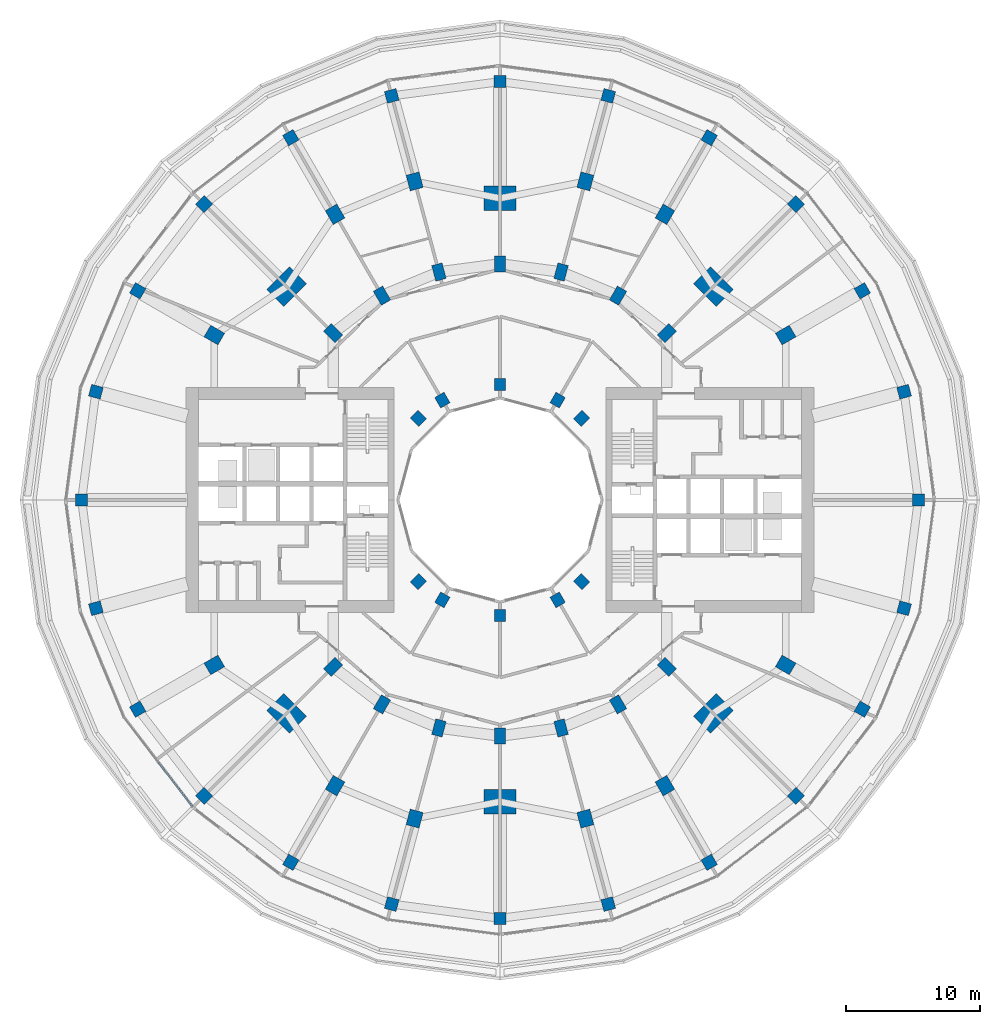
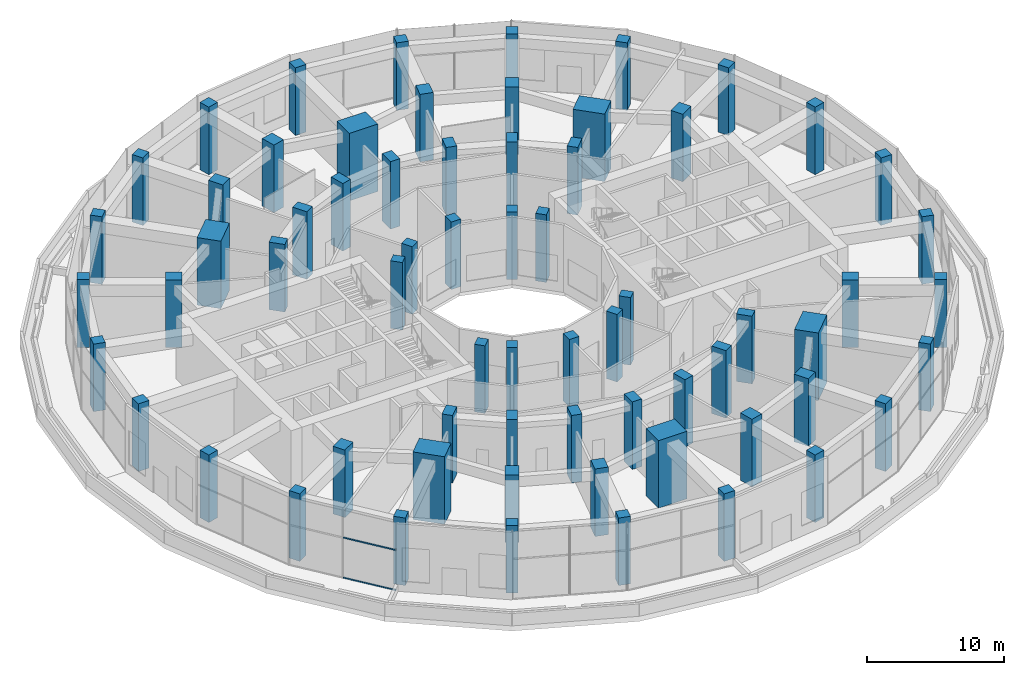
# One storey, part 1 of 23: 66 columns, 2 members, 1 element without a shape of its own.
"""IFC4 building model written with IfcOpenShell, lengths in metres."""

from ifc_helpers import new_model, si_unit, direction, frame, origin, origin_2d, place, context, subcontext, project, spatial, rectangle, extrude, material, layer, layer_set, material_profile, profile_set, type_object, element, aggregate, save


model = new_model("IFC4")

# Units and contexts
model_context = context("Model", 3, precision=1e-05, world=origin(), true_north=direction((0.0, 1.0)))
body_context = subcontext(model_context, "Body", "Model", "MODEL_VIEW")
ifc_project = project(units=[si_unit("LENGTHUNIT", "METRE"), si_unit("AREAUNIT", "SQUARE_METRE"), si_unit("VOLUMEUNIT", "CUBIC_METRE"), si_unit("PLANEANGLEUNIT", "RADIAN"), si_unit("MASSUNIT", "GRAM", prefix="KILO")], contexts=[model_context])

# Site, building, storey
site_placement = place(None, origin())
site = spatial("IfcSite", under=ifc_project, at=site_placement, CompositionType="ELEMENT")
building_placement = place(site_placement, origin())
building = spatial("IfcBuilding", under=site, at=building_placement, Name="Torre Brocal", CompositionType="ELEMENT")
storey_placement = place(building_placement, frame((0.0, 0.0, 17.800048828125)))
storey = spatial("IfcBuildingStorey", under=building, at=storey_placement, Name="L03", CompositionType="ELEMENT", Elevation=17.800048828125)

# Columns
ifc_material_1 = material(Name="Concrete C80", Category="concrete")
ifc_material_profile_1 = material_profile(ifc_material_1, rectangle(XDim=1.199951171875, YDim=1.0, at=origin_2d()), Name="RC 1200X1000")
ifc_profile_set_1 = profile_set([ifc_material_profile_1], Name="Concrete C80")
column_type_1 = type_object("IfcColumnType", Name="RC COLUMN 1200X1000 C80", PredefinedType="COLUMN", material=ifc_profile_set_1)
for number, where, z_axis, x_axis, name in (
    (1, (101.30419921875, 87.300048828125, 0.0), (0.0, 0.0, 1.0), (0.866025403784, 0.5, 0.0), "Column C-O02"),
    (2, (92.300048828125, 96.30419921875, 0.0), (0.0, 0.0, 1.0), (0.5, 0.866025403784, 0.0), "Column C-O04"),
    (3, (86.366943359375, 98.76171875, 0.0), (0.0, 0.0, 1.0), (0.258819045103, 0.965925826289, 0.0), "Column C-O05"),
    (4, (73.633056640625, 98.76171875, 0.0), (0.0, 0.0, 1.0), (-0.258819045103, 0.965925826289, 0.0), "Column C-O07"),
    (5, (67.699951171875, 96.30419921875, 0.0), (0.0, 0.0, 1.0), (-0.5, 0.866025403784, 0.0), "Column C-O08"),
    (6, (58.69580078125, 87.300048828125, 0.0), (0.0, 0.0, 1.0), (-0.866025403784, 0.5, 0.0), "Column C-O10"),
    (7, (58.69580078125, 62.699951171875, 0.0), (0.0, 0.0, 1.0), (-0.866025403784, -0.5, 0.0), "Column C-O14"),
    (8, (67.699951171875, 53.69580078125, 0.0), (0.0, 0.0, 1.0), (-0.5, -0.866025403784, 0.0), "Column C-O16"),
    (9, (73.633056640625, 51.23828125, 0.0), (0.0, 0.0, 1.0), (-0.258819045103, -0.965925826289, 0.0), "Column C-O17"),
    (10, (86.366943359375, 51.23828125, 0.0), (0.0, 0.0, 1.0), (0.258819045103, -0.965925826289, 0.0), "Column C-O19"),
    (11, (92.300048828125, 53.69580078125, 0.0), (0.0, 0.0, 1.0), (0.5, -0.866025403784, 0.0), "Column C-O20"),
    (12, (101.30419921875, 62.699951171875, 0.0), (0.0, 0.0, 1.0), (0.866025403784, -0.5, 0.0), "Column C-O22"),
):
    element("IfcColumn", number, at=place(storey_placement, frame(where, z_axis=z_axis, x_axis=x_axis)), inside=storey, type_object=column_type_1, Name=name, PredefinedType="COLUMN", context=body_context, shape_type="SweptSolid", body=[
        extrude(rectangle(XDim=1.199951171875, YDim=1.0, at=origin_2d()), origin(), (0.0, 0.0, 1.0), 6.0),
    ])
ifc_material_2 = material(Name="Concrete C80", Category="concrete")
ifc_material_profile_2 = material_profile(ifc_material_2, rectangle(XDim=1.199951171875, YDim=0.800048828125, at=origin_2d()), Name="RC 1200X800")
ifc_profile_set_2 = profile_set([ifc_material_profile_2], Name="Concrete C80")
column_type_2 = type_object("IfcColumnType", Name="RC COLUMN 1200X800 C80", PredefinedType="COLUMN", material=ifc_profile_set_2)
for number, where, z_axis, x_axis, name in (
    (13, (92.445068359375, 87.445068359375, 0.0), (0.0, 0.0, 1.0), (0.707106781187, 0.707106781187, 0.0), "Column C-M03"),
    (14, (88.800048828125, 90.241943359375, 0.0), (0.0, 0.0, 1.0), (0.5, 0.866025403784, 0.0), "Column C-M04"),
    (15, (84.55517578125, 92.000244140625, 0.0), (0.0, 0.0, 1.0), (0.258819045103, 0.965925826289, 0.0), "Column C-M05"),
    (16, (80.0, 92.60009765625, 0.0), (0.0, 0.0, 1.0), (0.0, 1.0, 0.0), "Column C-M06"),
    (17, (75.44482421875, 92.000244140625, 0.0), (0.0, 0.0, 1.0), (-0.258819045103, 0.965925826289, 0.0), "Column C-M07"),
    (18, (71.199951171875, 90.241943359375, 0.0), (0.0, 0.0, 1.0), (-0.5, 0.866025403784, 0.0), "Column C-M08"),
    (19, (67.554931640625, 87.445068359375, 0.0), (0.0, 0.0, 1.0), (-0.707106781187, 0.707106781187, 0.0), "Column C-M09"),
    (20, (67.554931640625, 62.554931640625, 0.0), (0.0, 0.0, 1.0), (-0.707106781187, -0.707106781187, 0.0), "Column C-M15"),
    (21, (71.199951171875, 59.758056640625, 0.0), (0.0, 0.0, 1.0), (-0.5, -0.866025403784, 0.0), "Column C-M16"),
    (22, (75.44482421875, 57.999755859375, 0.0), (0.0, 0.0, 1.0), (-0.258819045103, -0.965925826289, 0.0), "Column C-M17"),
    (23, (80.0, 57.39990234375, 0.0), (0.0, 0.0, 1.0), (0.0, -1.0, 0.0), "Column C-M18"),
    (24, (84.55517578125, 57.999755859375, 0.0), (0.0, 0.0, 1.0), (0.258819045103, -0.965925826289, 0.0), "Column C-M19"),
    (25, (88.800048828125, 59.758056640625, 0.0), (0.0, 0.0, 1.0), (0.5, -0.866025403784, 0.0), "Column C-M20"),
    (26, (92.445068359375, 62.554931640625, 0.0), (0.0, 0.0, 1.0), (0.707106781187, -0.707106781187, 0.0), "Column C-M21"),
):
    element("IfcColumn", number, at=place(storey_placement, frame(where, z_axis=z_axis, x_axis=x_axis)), inside=storey, type_object=column_type_2, Name=name, PredefinedType="COLUMN", context=body_context, shape_type="SweptSolid", body=[
        extrude(rectangle(XDim=1.199951171875, YDim=0.800048828125, at=origin_2d()), origin(), (0.0, 0.0, 1.0), 6.0),
    ])
ifc_material_3 = material(Name="Concrete C80", Category="concrete")
ifc_material_profile_3 = material_profile(ifc_material_3, rectangle(XDim=1.800048828125, YDim=2.39990234375, at=origin_2d()), Name="RC 1800X2400")
ifc_profile_set_3 = profile_set([ifc_material_profile_3], Name="Concrete C80")
column_type_3 = type_object("IfcColumnType", Name="RC COLUMN 1800X2400 C80", PredefinedType="COLUMN", material=ifc_profile_set_3)
for number, where, z_axis, x_axis, name in (
    (27, (95.909912109375, 90.909912109375, 0.0), (0.0, 0.0, 1.0), (0.707106781187, 0.707106781187, 0.0), "Column MC-1"),
    (28, (80.0, 97.5, 0.0), (0.0, 0.0, 1.0), (0.0, 1.0, 0.0), "Column MC-2"),
    (29, (64.090087890625, 90.909912109375, 0.0), (0.0, 0.0, 1.0), (-0.707106781187, 0.707106781187, 0.0), "Column MC-3"),
    (30, (64.090087890625, 59.090087890625, 0.0), (0.0, 0.0, 1.0), (-0.707106781187, -0.707106781187, 0.0), "Column MC-5"),
    (31, (80.0, 52.5, 0.0), (0.0, 0.0, 1.0), (0.0, -1.0, 0.0), "Column MC-6"),
    (32, (95.909912109375, 59.090087890625, 0.0), (0.0, 0.0, 1.0), (0.707106781187, -0.707106781187, 0.0), "Column MC-7"),
):
    element("IfcColumn", number, at=place(storey_placement, frame(where, z_axis=z_axis, x_axis=x_axis)), inside=storey, type_object=column_type_3, Name=name, PredefinedType="COLUMN", context=body_context, shape_type="SweptSolid", body=[
        extrude(rectangle(XDim=1.800048828125, YDim=2.39990234375, at=origin_2d()), origin(), (0.0, 0.0, 1.0), 6.0),
    ])
ifc_material_4 = material(Name="Concrete C80", Category="concrete")
ifc_material_profile_4 = material_profile(ifc_material_4, rectangle(XDim=0.89990234375, YDim=0.800048828125, at=origin_2d()), Name="RC 900X800")
ifc_profile_set_4 = profile_set([ifc_material_profile_4], Name="Concrete C80")
column_type_4 = type_object("IfcColumnType", Name="RC COLUMN 900X800 C80", PredefinedType="COLUMN", material=ifc_profile_set_4)
for number, where, z_axis, x_axis, name in (
    (33, (86.0810546875, 81.0810546875, 0.0), (0.0, 0.0, 1.0), (0.707106781187, 0.707106781187, 0.0), "Column C-I03"),
    (34, (84.300048828125, 82.44775390625, 0.0), (0.0, 0.0, 1.0), (0.5, 0.866025403784, 0.0), "Column C-I04"),
    (35, (80.0, 83.60009765625, 0.0), (0.0, 0.0, 1.0), (0.0, 1.0, 0.0), "Column C-I06"),
    (36, (75.699951171875, 82.44775390625, 0.0), (0.0, 0.0, 1.0), (-0.5, 0.866025403784, 0.0), "Column C-I08"),
    (37, (73.9189453125, 81.0810546875, 0.0), (0.0, 0.0, 1.0), (-0.707106781187, 0.707106781187, 0.0), "Column C-I09"),
    (38, (73.9189453125, 68.9189453125, 0.0), (0.0, 0.0, 1.0), (-0.707106781187, -0.707106781187, 0.0), "Column C-I15"),
    (39, (75.699951171875, 67.55224609375, 0.0), (0.0, 0.0, 1.0), (-0.5, -0.866025403784, 0.0), "Column C-I16"),
    (40, (80.0, 66.39990234375, 0.0), (0.0, 0.0, 1.0), (0.0, -1.0, 0.0), "Column C-I18"),
    (41, (84.300048828125, 67.55224609375, 0.0), (0.0, 0.0, 1.0), (0.5, -0.866025403784, 0.0), "Column C-I20"),
    (42, (86.0810546875, 68.9189453125, 0.0), (0.0, 0.0, 1.0), (0.707106781187, -0.707106781187, 0.0), "Column C-I21"),
):
    element("IfcColumn", number, at=place(storey_placement, frame(where, z_axis=z_axis, x_axis=x_axis)), inside=storey, type_object=column_type_4, Name=name, PredefinedType="COLUMN", context=body_context, shape_type="SweptSolid", body=[
        extrude(rectangle(XDim=0.89990234375, YDim=0.800048828125, at=origin_2d()), origin(), (0.0, 0.0, 1.0), 6.0),
    ])
ifc_material_5 = material(Name="Concrete C80", Category="concrete")
ifc_material_profile_5 = material_profile(ifc_material_5, rectangle(XDim=0.89990234375, YDim=0.89990234375, at=origin_2d()), Name="RC 900X900")
ifc_profile_set_5 = profile_set([ifc_material_profile_5], Name="Concrete C80")
column_type_5 = type_object("IfcColumnType", Name="RC COLUMN 900X900 C80", PredefinedType="COLUMN", material=ifc_profile_set_5)
for number, where, z_axis, x_axis, name in (
    (43, (111.199951171875, 75.0, 0.0), (0.0, 0.0, 1.0), (1.0, 0.0, 0.0), "Column C-PE00"),
    (44, (110.136962890625, 83.0751953125, 0.0), (0.0, 0.0, 1.0), (0.965925826289, 0.258819045103, 0.0), "Column C-PE01"),
    (45, (107.02001953125, 90.60009765625, 0.0), (0.0, 0.0, 1.0), (0.866025403784, 0.5, 0.0), "Column C-PE02"),
    (46, (102.061767578125, 97.061767578125, 0.0), (0.0, 0.0, 1.0), (0.707106781187, 0.707106781187, 0.0), "Column C-PE03"),
    (47, (95.60009765625, 102.02001953125, 0.0), (0.0, 0.0, 1.0), (0.5, 0.866025403784, 0.0), "Column C-PE04"),
    (48, (88.0751953125, 105.136962890625, 0.0), (0.0, 0.0, 1.0), (0.258819045103, 0.965925826289, 0.0), "Column C-PE05"),
    (49, (80.0, 106.199951171875, 0.0), (0.0, 0.0, 1.0), (0.0, 1.0, 0.0), "Column C-PE06"),
    (50, (71.9248046875, 105.136962890625, 0.0), (0.0, 0.0, 1.0), (-0.258819045103, 0.965925826289, 0.0), "Column C-PE07"),
    (51, (64.39990234375, 102.02001953125, 0.0), (0.0, 0.0, 1.0), (-0.5, 0.866025403784, 0.0), "Column C-PE08"),
    (52, (57.938232421875, 97.061767578125, 0.0), (0.0, 0.0, 1.0), (-0.707106781187, 0.707106781187, 0.0), "Column C-PE09"),
    (53, (52.97998046875, 90.60009765625, 0.0), (0.0, 0.0, 1.0), (-0.866025403784, 0.5, 0.0), "Column C-PE10"),
    (54, (49.863037109375, 83.0751953125, 0.0), (0.0, 0.0, 1.0), (-0.965925826289, 0.258819045103, 0.0), "Column C-PE11"),
    (55, (48.800048828125, 75.0, 0.0), (0.0, 0.0, 1.0), (-1.0, 0.0, 0.0), "Column C-PE12"),
    (56, (49.863037109375, 66.9248046875, 0.0), (0.0, 0.0, 1.0), (-0.965925826289, -0.258819045103, 0.0), "Column C-PE13"),
    (57, (52.97998046875, 59.39990234375, 0.0), (0.0, 0.0, 1.0), (-0.866025403784, -0.5, 0.0), "Column C-PE14"),
    (58, (57.938232421875, 52.938232421875, 0.0), (0.0, 0.0, 1.0), (-0.707106781187, -0.707106781187, 0.0), "Column C-PE15"),
    (59, (64.39990234375, 47.97998046875, 0.0), (0.0, 0.0, 1.0), (-0.5, -0.866025403784, 0.0), "Column C-PE16"),
    (60, (71.9248046875, 44.863037109375, 0.0), (0.0, 0.0, 1.0), (-0.258819045103, -0.965925826289, 0.0), "Column C-PE17"),
    (61, (80.0, 43.800048828125, 0.0), (0.0, 0.0, 1.0), (0.0, -1.0, 0.0), "Column C-PE18"),
    (62, (88.0751953125, 44.863037109375, 0.0), (0.0, 0.0, 1.0), (0.258819045103, -0.965925826289, 0.0), "Column C-PE19"),
    (63, (95.60009765625, 47.97998046875, 0.0), (0.0, 0.0, 1.0), (0.5, -0.866025403784, 0.0), "Column C-PE20"),
    (64, (102.061767578125, 52.938232421875, 0.0), (0.0, 0.0, 1.0), (0.707106781187, -0.707106781187, 0.0), "Column C-PE21"),
    (65, (107.02001953125, 59.39990234375, 0.0), (0.0, 0.0, 1.0), (0.866025403784, -0.5, 0.0), "Column C-PE22"),
    (66, (110.136962890625, 66.9248046875, 0.0), (0.0, 0.0, 1.0), (0.965925826289, -0.258819045103, 0.0), "Column C-PE23"),
):
    element("IfcColumn", number, at=place(storey_placement, frame(where, z_axis=z_axis, x_axis=x_axis)), inside=storey, type_object=column_type_5, Name=name, PredefinedType="COLUMN", context=body_context, shape_type="SweptSolid", body=[
        extrude(rectangle(XDim=0.89990234375, YDim=0.89990234375, at=origin_2d()), origin(), (0.0, 0.0, 1.0), 6.0),
    ])

# Curtain wall, members
ifc_material_6 = material(Name="Aluminium and glass", Category="aluminium")
ifc_layer = layer(ifc_material_6, 0.199951171875)
ifc_layer_set = layer_set([ifc_layer], Name="Aluminium and glass")
curtain_wall_type = type_object("IfcCurtainWallType", Name="CW-6 CURTAIN WALL 6000 HIGH", PredefinedType="NOTDEFINED", material=ifc_layer_set)
curtain_wall_placement = place(storey_placement, origin())
curtain_wall = element("IfcCurtainWall", 67, at=curtain_wall_placement, inside=storey, type_object=curtain_wall_type, Name="CW-6 RUN 15", PredefinedType="NOTDEFINED")
ifc_material_7 = material(Name="Aluminium, dark anodised", Category="aluminium")
ifc_material_profile_6 = material_profile(ifc_material_7, rectangle(XDim=0.1298828125, YDim=0.070068359375, at=origin_2d()), Name="CW-6 TRANSOM 130X70")
ifc_profile_set_6 = profile_set([ifc_material_profile_6], Name="Aluminium, dark anodised")
member_type = type_object("IfcMemberType", Name="CW-6 TRANSOM 130X70", PredefinedType="USERDEFINED", material=ifc_profile_set_6)
member_1_placement = place(storey_placement, frame((54.53125, 55.425537109375, 0.034912109375), z_axis=(0.608747382727, -0.793364118185, 0.0), x_axis=(0.793364118185, 0.608747382727, 0.0)))
member_1 = element("IfcMember", 68, at=member_1_placement, type_object=member_type, Name="CW6-2 transom 2.1", ObjectType="TRANSOM", PredefinedType="USERDEFINED", context=body_context, shape_type="SweptSolid", body=[
    extrude(rectangle(XDim=0.1298828125, YDim=0.070068359375, at=origin_2d()), origin(), (0.0, 0.0, 1.0), 4.15380859375),
])
member_2_placement = place(storey_placement, frame((54.53125, 55.425537109375, 3.599853515625), z_axis=(0.608747382727, -0.793364118185, 0.0), x_axis=(0.793364118185, 0.608747382727, 0.0)))
member_2 = element("IfcMember", 69, at=member_2_placement, type_object=member_type, Name="CW6-2 transom 2.2", ObjectType="TRANSOM", PredefinedType="USERDEFINED", context=body_context, shape_type="SweptSolid", body=[
    extrude(rectangle(XDim=0.1298828125, YDim=0.070068359375, at=origin_2d()), origin(), (0.0, 0.0, 1.0), 4.15380859375),
])
aggregate(curtain_wall, [member_1, member_2])

save(model, "model.ifc")
